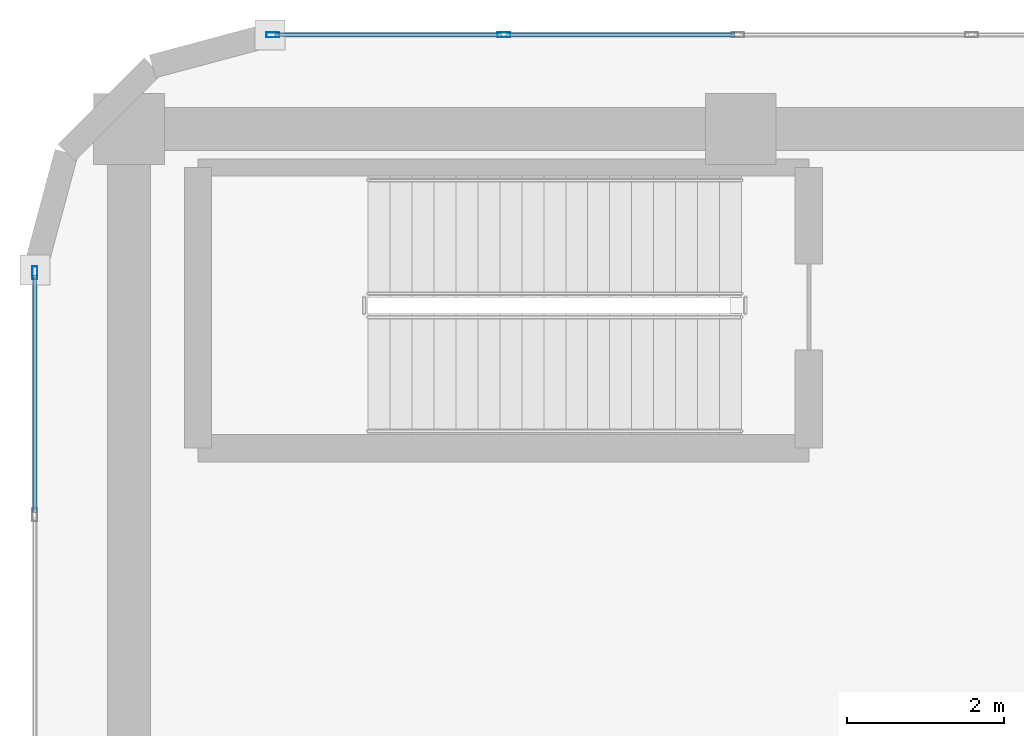
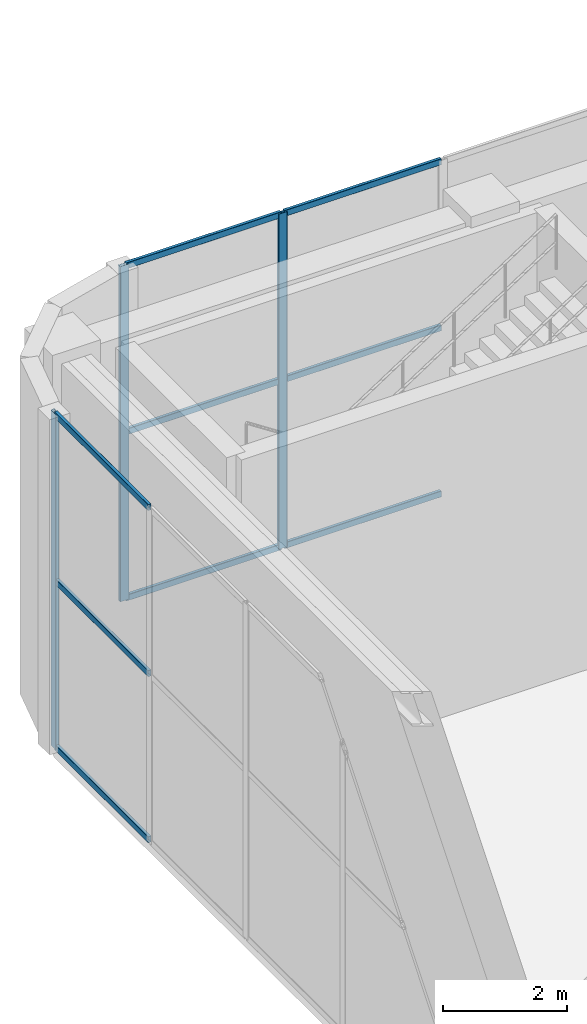
# One storey, part 12 of 19: 12 members, 2 elements without a shape of their own.
"""IFC4 building model written with IfcOpenShell, lengths in metres."""

from ifc_helpers import new_model, si_unit, direction, frame, origin, origin_2d, place, context, subcontext, project, spatial, hollow_rectangle, extrude, material, layer, layer_set, material_profile, profile_set, type_object, element, aggregate, save


model = new_model("IFC4")

# Units and contexts
model_context = context("Model", 3, precision=1e-05, world=origin(), true_north=direction((0.0, 1.0)))
body_context = subcontext(model_context, "Body", "Model", "MODEL_VIEW")
ifc_project = project(units=[si_unit("LENGTHUNIT", "METRE"), si_unit("AREAUNIT", "SQUARE_METRE"), si_unit("VOLUMEUNIT", "CUBIC_METRE"), si_unit("PLANEANGLEUNIT", "RADIAN"), si_unit("MASSUNIT", "GRAM", prefix="KILO")], contexts=[model_context])

# Site, building, storey
site_placement = place(None, origin())
site = spatial("IfcSite", under=ifc_project, at=site_placement, CompositionType="ELEMENT")
building_placement = place(site_placement, origin())
building = spatial("IfcBuilding", under=site, at=building_placement, Name="An Khanh Terracotta Commons", CompositionType="ELEMENT")
storey_placement = place(building_placement, frame((0.0, 0.0, 328.800048828125)))
storey = spatial("IfcBuildingStorey", under=building, at=storey_placement, Name="L82 Crown Faceted Taper", CompositionType="ELEMENT", Elevation=328.800048828125)

# Curtain wall, members
ifc_material = material(Name="Anodised Aluminium 6063-T6", Category="aluminium")
ifc_layer = layer(ifc_material, 0.18994140625, Name="Anodised Aluminium 6063-T6")
ifc_layer_set = layer_set([ifc_layer], Name="Anodised Aluminium 6063-T6")
curtain_wall_type = type_object("IfcCurtainWallType", Name="CW-SYS-06", PredefinedType="USERDEFINED", material=ifc_layer_set)
curtain_wall_1_placement = place(storey_placement, origin())
curtain_wall_1 = element("IfcCurtainWall", 1, at=curtain_wall_1_placement, inside=storey, type_object=curtain_wall_type, Name="L82 Crown Faceted Taper CW-06 Unitised Curtain Wall CW-L82-20", ObjectType="UNITISED CURTAIN WALL", PredefinedType="USERDEFINED")
ifc_material_profile_1 = material_profile(ifc_material, hollow_rectangle(XDim=0.06494140625, YDim=0.1650390625, WallThickness=0.00390625, InnerFilletRadius=0.00390625, OuterFilletRadius=0.008056640625, at=origin_2d()), Name="RHS165x65x4")
ifc_profile_set_1 = profile_set([ifc_material_profile_1], Name="Anodised Aluminium 6063-T6")
member_type_1 = type_object("IfcMemberType", Name="CWM-RHS165x65x4", PredefinedType="MULLION", material=ifc_profile_set_1)
member_1_placement = place(storey_placement, frame((26.381591796875, 34.800048828125, 0.0), z_axis=(0.0, 0.0, 1.0), x_axis=(0.0, -1.0, 0.0)))
member_1 = element("IfcMember", 2, at=member_1_placement, type_object=member_type_1, Name="CW-06 mullion 7", PredefinedType="MULLION", context=body_context, shape_type="SweptSolid", body=[
    extrude(hollow_rectangle(XDim=0.06494140625, YDim=0.1650390625, WallThickness=0.00390625, InnerFilletRadius=0.00390625, OuterFilletRadius=0.008056640625, at=origin_2d()), origin(), (0.0, 0.0, 1.0), 6.599853515625),
])
member_2_placement = place(storey_placement, frame((23.4326171875, 34.800048828125, 0.0), z_axis=(0.0, 0.0, 1.0), x_axis=(0.0, -1.0, 0.0)))
member_2 = element("IfcMember", 3, at=member_2_placement, type_object=member_type_1, Name="CW-06 mullion 8", PredefinedType="MULLION", context=body_context, shape_type="SweptSolid", body=[
    extrude(hollow_rectangle(XDim=0.06494140625, YDim=0.1650390625, WallThickness=0.00390625, InnerFilletRadius=0.00390625, OuterFilletRadius=0.008056640625, at=origin_2d()), origin(), (0.0, 0.0, 1.0), 6.599853515625),
])

# Curtain wall, member
curtain_wall_2_placement = place(storey_placement, origin())
curtain_wall_2 = element("IfcCurtainWall", 4, at=curtain_wall_2_placement, inside=storey, type_object=curtain_wall_type, Name="L82 Crown Faceted Taper CW-06 Unitised Curtain Wall CW-L82-24", ObjectType="UNITISED CURTAIN WALL", PredefinedType="USERDEFINED")
member_3_placement = place(storey_placement, frame((20.39990234375, 31.767578125, 0.0), z_axis=(0.0, 0.0, 1.0), x_axis=(1.0, 0.0, 0.0)))
member_3 = element("IfcMember", 5, at=member_3_placement, type_object=member_type_1, Name="CW-06 mullion 1", PredefinedType="MULLION", context=body_context, shape_type="SweptSolid", body=[
    extrude(hollow_rectangle(XDim=0.06494140625, YDim=0.1650390625, WallThickness=0.00390625, InnerFilletRadius=0.00390625, OuterFilletRadius=0.008056640625, at=origin_2d()), origin(), (0.0, 0.0, 1.0), 6.599853515625),
])

# Member
ifc_material_profile_2 = material_profile(ifc_material, hollow_rectangle(XDim=0.06005859375, YDim=0.1201171875, WallThickness=0.003662109375, InnerFilletRadius=0.003662109375, OuterFilletRadius=0.007080078125, at=origin_2d()), Name="RHS120x60x3.6")
ifc_profile_set_2 = profile_set([ifc_material_profile_2], Name="Anodised Aluminium 6063-T6")
member_type_2 = type_object("IfcMemberType", Name="CWT-RHS120x60x3.6", PredefinedType="USERDEFINED", material=ifc_profile_set_2)
member_4_placement = place(storey_placement, frame((29.33056640625, 34.800048828125, 0.030029296875), z_axis=(-1.0, 0.0, 0.0), x_axis=(0.0, -1.0, 0.0)))
member_4 = element("IfcMember", 6, at=member_4_placement, type_object=member_type_2, Name="CW-06 transom 6.1", ObjectType="TRANSOM", PredefinedType="USERDEFINED", context=body_context, shape_type="SweptSolid", body=[
    extrude(hollow_rectangle(XDim=0.06005859375, YDim=0.1201171875, WallThickness=0.003662109375, InnerFilletRadius=0.003662109375, OuterFilletRadius=0.007080078125, at=origin_2d()), origin(), (0.0, 0.0, 1.0), 2.91650390625),
])

member_5_placement = place(storey_placement, frame((29.33056640625, 34.800048828125, 3.300048828125), z_axis=(-1.0, 0.0, 0.0), x_axis=(0.0, -1.0, 0.0)))
member_5 = element("IfcMember", 7, at=member_5_placement, type_object=member_type_2, Name="CW-06 transom 6.2", ObjectType="TRANSOM", PredefinedType="USERDEFINED", context=body_context, shape_type="SweptSolid", body=[
    extrude(hollow_rectangle(XDim=0.06005859375, YDim=0.1201171875, WallThickness=0.003662109375, InnerFilletRadius=0.003662109375, OuterFilletRadius=0.007080078125, at=origin_2d()), origin(), (0.0, 0.0, 1.0), 2.91650390625),
])

member_6_placement = place(storey_placement, frame((29.33056640625, 34.800048828125, 6.570068359375), z_axis=(-1.0, 0.0, 0.0), x_axis=(0.0, -1.0, 0.0)))
member_6 = element("IfcMember", 8, at=member_6_placement, type_object=member_type_2, Name="CW-06 transom 6.3", ObjectType="TRANSOM", PredefinedType="USERDEFINED", context=body_context, shape_type="SweptSolid", body=[
    extrude(hollow_rectangle(XDim=0.06005859375, YDim=0.1201171875, WallThickness=0.003662109375, InnerFilletRadius=0.003662109375, OuterFilletRadius=0.007080078125, at=origin_2d()), origin(), (0.0, 0.0, 1.0), 2.91650390625),
])

member_7_placement = place(storey_placement, frame((26.34912109375, 34.800048828125, 0.030029296875), z_axis=(-1.0, 0.0, 0.0), x_axis=(0.0, -1.0, 0.0)))
member_7 = element("IfcMember", 9, at=member_7_placement, type_object=member_type_2, Name="CW-06 transom 7.1", ObjectType="TRANSOM", PredefinedType="USERDEFINED", context=body_context, shape_type="SweptSolid", body=[
    extrude(hollow_rectangle(XDim=0.06005859375, YDim=0.1201171875, WallThickness=0.003662109375, InnerFilletRadius=0.003662109375, OuterFilletRadius=0.007080078125, at=origin_2d()), origin(), (0.0, 0.0, 1.0), 2.884033203125),
])

member_8_placement = place(storey_placement, frame((26.34912109375, 34.800048828125, 3.300048828125), z_axis=(-1.0, 0.0, 0.0), x_axis=(0.0, -1.0, 0.0)))
member_8 = element("IfcMember", 10, at=member_8_placement, type_object=member_type_2, Name="CW-06 transom 7.2", ObjectType="TRANSOM", PredefinedType="USERDEFINED", context=body_context, shape_type="SweptSolid", body=[
    extrude(hollow_rectangle(XDim=0.06005859375, YDim=0.1201171875, WallThickness=0.003662109375, InnerFilletRadius=0.003662109375, OuterFilletRadius=0.007080078125, at=origin_2d()), origin(), (0.0, 0.0, 1.0), 2.884033203125),
])

member_9_placement = place(storey_placement, frame((26.34912109375, 34.800048828125, 6.570068359375), z_axis=(-1.0, 0.0, 0.0), x_axis=(0.0, -1.0, 0.0)))
member_9 = element("IfcMember", 11, at=member_9_placement, type_object=member_type_2, Name="CW-06 transom 7.3", ObjectType="TRANSOM", PredefinedType="USERDEFINED", context=body_context, shape_type="SweptSolid", body=[
    extrude(hollow_rectangle(XDim=0.06005859375, YDim=0.1201171875, WallThickness=0.003662109375, InnerFilletRadius=0.003662109375, OuterFilletRadius=0.007080078125, at=origin_2d()), origin(), (0.0, 0.0, 1.0), 2.884033203125),
])

aggregate(curtain_wall_1, [member_1, member_2, member_4, member_5, member_6, member_7, member_8, member_9])

member_10_placement = place(storey_placement, frame((20.39990234375, 31.735107421875, 0.030029296875), z_axis=(0.0, -1.0, 0.0), x_axis=(1.0, 0.0, 0.0)))
member_10 = element("IfcMember", 12, at=member_10_placement, type_object=member_type_2, Name="CW-06 transom 1.1", ObjectType="TRANSOM", PredefinedType="USERDEFINED", context=body_context, shape_type="SweptSolid", body=[
    extrude(hollow_rectangle(XDim=0.06005859375, YDim=0.1201171875, WallThickness=0.003662109375, InnerFilletRadius=0.003662109375, OuterFilletRadius=0.007080078125, at=origin_2d()), origin(), (0.0, 0.0, 1.0), 3.022705078125),
])

member_11_placement = place(storey_placement, frame((20.39990234375, 31.735107421875, 3.300048828125), z_axis=(0.0, -1.0, 0.0), x_axis=(1.0, 0.0, 0.0)))
member_11 = element("IfcMember", 13, at=member_11_placement, type_object=member_type_2, Name="CW-06 transom 1.2", ObjectType="TRANSOM", PredefinedType="USERDEFINED", context=body_context, shape_type="SweptSolid", body=[
    extrude(hollow_rectangle(XDim=0.06005859375, YDim=0.1201171875, WallThickness=0.003662109375, InnerFilletRadius=0.003662109375, OuterFilletRadius=0.007080078125, at=origin_2d()), origin(), (0.0, 0.0, 1.0), 3.022705078125),
])

member_12_placement = place(storey_placement, frame((20.39990234375, 31.735107421875, 6.570068359375), z_axis=(0.0, -1.0, 0.0), x_axis=(1.0, 0.0, 0.0)))
member_12 = element("IfcMember", 14, at=member_12_placement, type_object=member_type_2, Name="CW-06 transom 1.3", ObjectType="TRANSOM", PredefinedType="USERDEFINED", context=body_context, shape_type="SweptSolid", body=[
    extrude(hollow_rectangle(XDim=0.06005859375, YDim=0.1201171875, WallThickness=0.003662109375, InnerFilletRadius=0.003662109375, OuterFilletRadius=0.007080078125, at=origin_2d()), origin(), (0.0, 0.0, 1.0), 3.022705078125),
])

aggregate(curtain_wall_2, [member_3, member_10, member_11, member_12])

save(model, "model.ifc")
